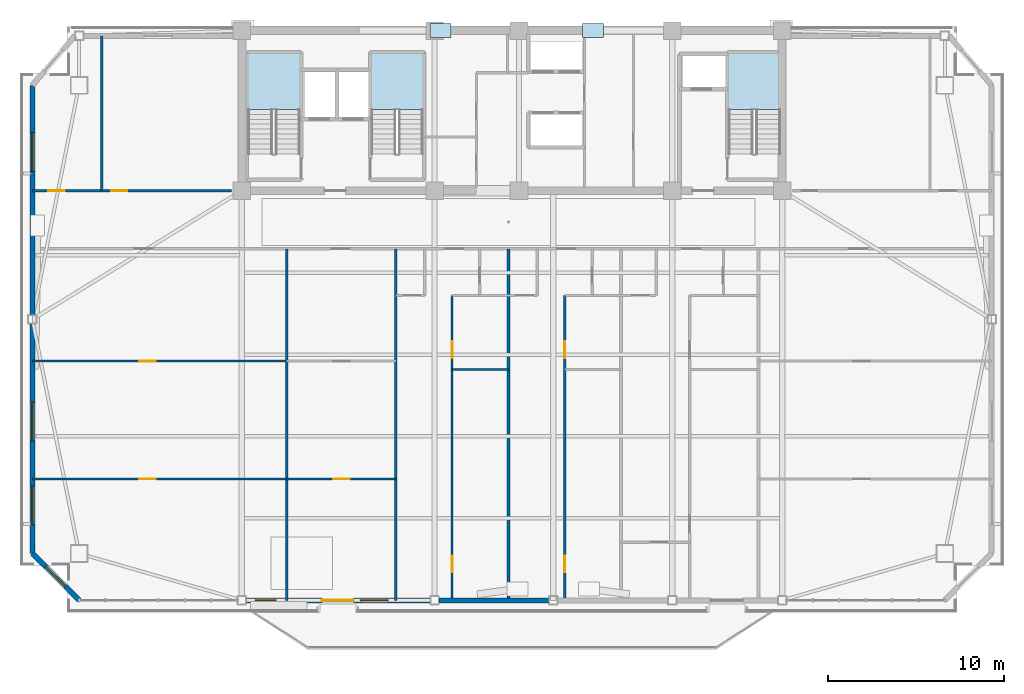
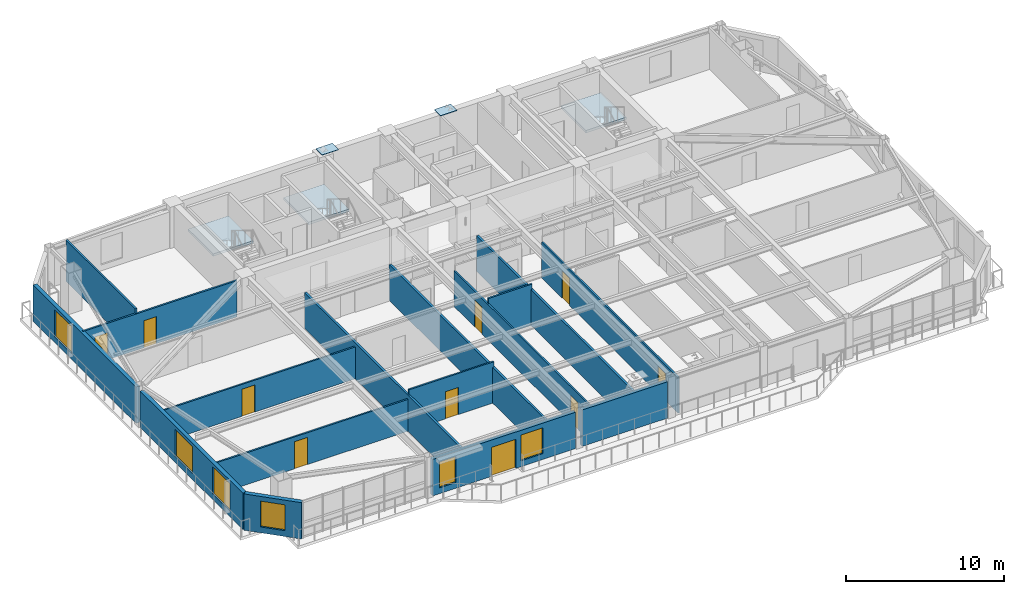
# One storey, part 8 of 19: 16 walls, 10 doors, 6 windows, 3 slabs, 2 plates, 16 openings, 3 elements without a shape of their own.
"""IFC4 building model written with IfcOpenShell, lengths in metres."""

import ifcopenshell
import ifcopenshell.guid

model = None  # the IFC model being written
_history = None  # IfcOwnerHistory: only IFC2X3 demands one
_inside = {}  # id of a spatial element -> (the spatial element, [elements in it])
_under = {}  # id of a project, library or spatial element -> (it, [spatial elements below it])
_declared = {}  # id of a project -> (the project, [libraries it declares])
_typed = {}  # id of a type object -> (the type object, [elements of that type])
_made_of = {}  # id of a material, layer set ... -> (it, [elements and type objects made of it])


def new_model(schema):
    """Start an empty IFC model of exactly this schema.

    Asked for "IFC4X3", IfcOpenShell would pick the latest addendum, in which some entities
    have other attributes; the version numbers below select the first issue.
    IFC2X3 requires an IfcOwnerHistory on every rooted entity: one is made here for all.
    """
    global model, _history
    if schema == "IFC4X3":
        model = ifcopenshell.file(schema_version=(4, 3, 0, 0))
    else:
        model = ifcopenshell.file(schema=schema)
    _inside.clear()
    _under.clear()
    _declared.clear()
    _typed.clear()
    _made_of.clear()
    _history = None
    if model.schema == "IFC2X3":
        org = make("IfcOrganization", Name="unknown")
        user = make(
            "IfcPersonAndOrganization",
            ThePerson=make("IfcPerson", FamilyName="unknown"),
            TheOrganization=org,
        )
        app = make(
            "IfcApplication",
            ApplicationDeveloper=org,
            Version="unknown",
            ApplicationFullName="unknown",
            ApplicationIdentifier="unknown",
        )
        _history = make(
            "IfcOwnerHistory",
            OwningUser=user,
            OwningApplication=app,
            ChangeAction="ADDED",
            CreationDate=0,
        )
    return model


def make(cls, **values):
    """One entity of the class cls with the attributes given. An attribute that is None is left unset."""
    return model.create_entity(
        cls, **{name: value for name, value in values.items() if value is not None}
    )


def rooted(cls, **values):
    """An entity with a GlobalId (a new one), such as an element, a storey or a relation."""
    return make(cls, GlobalId=ifcopenshell.guid.new(), OwnerHistory=_history, **values)


def si_unit(unit_type, name, prefix=None):
    """IfcSIUnit, for example si_unit("LENGTHUNIT", "METRE", prefix="MILLI")."""
    return make("IfcSIUnit", UnitType=unit_type, Prefix=prefix, Name=name)


def assignment(units):
    """IfcUnitAssignment: the units of a project."""
    return None if units is None else make("IfcUnitAssignment", Units=units)


def point(xyz):
    """IfcCartesianPoint."""
    return None if xyz is None else make("IfcCartesianPoint", Coordinates=xyz)


def direction(xyz):
    """IfcDirection."""
    return None if xyz is None else make("IfcDirection", DirectionRatios=xyz)


def frame(location, z_axis=None, x_axis=None):
    """IfcAxis2Placement3D, a coordinate frame: its origin and axes. An axis left out is left unset."""
    return make(
        "IfcAxis2Placement3D",
        Location=point(location),
        Axis=direction(z_axis),
        RefDirection=direction(x_axis),
    )


def frame_2d(location, x_axis=None):
    """IfcAxis2Placement2D, a coordinate frame in the plane: its origin and x axis."""
    return make(
        "IfcAxis2Placement2D", Location=point(location), RefDirection=direction(x_axis)
    )


def origin():
    """The frame at (0, 0, 0) with its axes left unset."""
    return frame((0.0, 0.0, 0.0))


def origin_2d():
    """The frame at (0, 0) in the plane with its x axis left unset."""
    return frame_2d((0.0, 0.0))


def place(relative_to, where):
    """IfcLocalPlacement: puts the frame where relative to a parent placement (None: the world)."""
    return make(
        "IfcLocalPlacement", PlacementRelTo=relative_to, RelativePlacement=where
    )


def context(
    kind, dimensions, precision=None, world=None, true_north=None, identifier=None
):
    """IfcGeometricRepresentationContext, for example the 3D "Model" context."""
    return make(
        "IfcGeometricRepresentationContext",
        ContextIdentifier=identifier,
        ContextType=kind,
        CoordinateSpaceDimension=dimensions,
        Precision=precision,
        WorldCoordinateSystem=world,
        TrueNorth=true_north,
    )


def subcontext(parent, identifier, kind, view, scale=None):
    """IfcGeometricRepresentationSubContext, for example "Body" below "Model"."""
    return make(
        "IfcGeometricRepresentationSubContext",
        ContextIdentifier=identifier,
        ContextType=kind,
        ParentContext=parent,
        TargetScale=scale,
        TargetView=view,
    )


def project(units=None, contexts=None):
    """IfcProject with its units and contexts."""
    return rooted(
        "IfcProject",
        Name="project",
        RepresentationContexts=contexts,
        UnitsInContext=assignment(units),
    )


def spatial(cls, under=None, at=None, **own):
    """A site, building, storey or space (cls), placed at a placement, below another one or the project."""
    s = rooted(cls, ObjectPlacement=at, **own)
    if under is not None:
        _under.setdefault(under.id(), (under, []))[1].append(s)
    return s


def polyline(points):
    """IfcPolyline through the points."""
    return make("IfcPolyline", Points=[point(p) for p in points])


def profile(cls, at=None, kind="AREA", **sizes):
    """A parametric profile (cls). Its sizes go by their IFC names, for example OverallWidth=200.0."""
    return make(cls, ProfileType=kind, Position=at, **sizes)


def rectangle(**sizes):
    """IfcRectangleProfileDef."""
    return profile("IfcRectangleProfileDef", **sizes)


def outline(outer, holes=None, kind="AREA"):
    """IfcArbitraryClosedProfileDef: a profile drawn as a closed curve; with holes, ...WithVoids."""
    if holes is None:
        return make("IfcArbitraryClosedProfileDef", ProfileType=kind, OuterCurve=outer)
    return make(
        "IfcArbitraryProfileDefWithVoids",
        ProfileType=kind,
        OuterCurve=outer,
        InnerCurves=holes,
    )


def extrude(swept, where, along, depth):
    """IfcExtrudedAreaSolid: the profile swept, set in the frame where, extruded along a direction by depth."""
    return make(
        "IfcExtrudedAreaSolid",
        SweptArea=swept,
        Position=where,
        ExtrudedDirection=direction(along),
        Depth=depth,
    )


def shape(context_of_items, identifier, shape_type, items):
    """IfcShapeRepresentation: the items that make up one representation, for example the "Body"."""
    return make(
        "IfcShapeRepresentation",
        ContextOfItems=context_of_items,
        RepresentationIdentifier=identifier,
        RepresentationType=shape_type,
        Items=items,
    )


def source(mapping_origin, context_of_items, identifier, shape_type, items):
    """IfcRepresentationMap: a shape defined once, which mapped items show again and again."""
    return make(
        "IfcRepresentationMap",
        MappingOrigin=mapping_origin,
        MappedRepresentation=shape(context_of_items, identifier, shape_type, items),
    )


def transform(
    local_origin,
    x_axis=None,
    y_axis=None,
    z_axis=None,
    scale=None,
    scale2=None,
    scale3=None,
    uniform=True,
):
    """IfcCartesianTransformationOperator3D, or its non-uniform kind. x_axis, y_axis, z_axis: its Axis1, 2, 3."""
    if uniform:
        return make(
            "IfcCartesianTransformationOperator3D",
            Axis1=direction(x_axis),
            Axis2=direction(y_axis),
            LocalOrigin=point(local_origin),
            Scale=scale,
            Axis3=direction(z_axis),
        )
    return make(
        "IfcCartesianTransformationOperator3DnonUniform",
        Axis1=direction(x_axis),
        Axis2=direction(y_axis),
        LocalOrigin=point(local_origin),
        Scale=scale,
        Axis3=direction(z_axis),
        Scale2=scale2,
        Scale3=scale3,
    )


def mapped(mapping_source, mapping_target):
    """IfcMappedItem: shows the shape of a source again, moved by a transform."""
    return make(
        "IfcMappedItem", MappingSource=mapping_source, MappingTarget=mapping_target
    )


def material(Name=None, Category=None):
    """IfcMaterial."""
    return make("IfcMaterial", Name=Name, Category=Category)


def layer(
    of_material, thickness, ventilated=None, Name=None, Category=None, Priority=None
):
    """IfcMaterialLayer: one layer of a wall or slab, of a material (None: an air gap)."""
    return make(
        "IfcMaterialLayer",
        Material=of_material,
        LayerThickness=thickness,
        IsVentilated=ventilated,
        Name=Name,
        Category=Category,
        Priority=Priority,
    )


def layer_set(layers, Name=None):
    """IfcMaterialLayerSet."""
    return make("IfcMaterialLayerSet", MaterialLayers=layers, LayerSetName=Name)


def made_of(thing, what):
    """Note that an element or type object is made of a material, layer set ...; save() writes the relation."""
    if what is not None:
        _made_of.setdefault(what.id(), (what, []))[1].append(thing)
    return thing


def type_object(cls, material=None, **own):
    """A type object (cls), such as IfcWallType, which elements share."""
    return made_of(rooted(cls, **own), material)


def element(
    cls,
    number,
    at=None,
    inside=None,
    cuts=None,
    type_object=None,
    material=None,
    context=None,
    identifier="Body",
    shape_type=None,
    held_by="IfcProductDefinitionShape",
    body=None,
    shapes=None,
    **own,
):
    """One element of the class cls, such as IfcWall. Its Tag is "e" and its number.

    at: its placement. inside: the storey or other place that contains it. cuts: it is an
    opening in that element (IfcRelVoidsElement). A single representation is given by context,
    identifier, shape_type and body (its items); several are given by shapes. held_by: the class
    of the entity that holds the representations. save() writes the other relations.
    """
    e = rooted(cls, Tag="e%d" % number, ObjectPlacement=at, **own)
    if body is not None:
        shapes = [shape(context, identifier, shape_type, body)]
    if shapes is not None:
        e.Representation = make(held_by, Representations=shapes)
    if inside is not None:
        _inside.setdefault(inside.id(), (inside, []))[1].append(e)
    if cuts is not None:
        rooted(
            "IfcRelVoidsElement", RelatingBuildingElement=cuts, RelatedOpeningElement=e
        )
    if type_object is not None:
        _typed.setdefault(type_object.id(), (type_object, []))[1].append(e)
    return made_of(e, material)


def fill(opening, filler):
    """IfcRelFillsElement: the door or window that sits in an opening."""
    return rooted(
        "IfcRelFillsElement",
        RelatingOpeningElement=opening,
        RelatedBuildingElement=filler,
    )


def aggregate(whole, parts):
    """IfcRelAggregates: a whole, such as a stair, and the parts it consists of."""
    return rooted("IfcRelAggregates", RelatingObject=whole, RelatedObjects=parts)


def save(model, path):
    """Write the relations noted so far, then the file.

    IfcRelAggregates (storeys below a building ...), IfcRelContainedInSpatialStructure (elements
    in a storey), IfcRelDefinesByType, IfcRelAssociatesMaterial and IfcRelDeclares: one each for
    every whole, place, type object, material and project.
    """
    for whole, parts in _under.values():
        aggregate(whole, parts)
    for where, things in _inside.values():
        rooted(
            "IfcRelContainedInSpatialStructure",
            RelatedElements=things,
            RelatingStructure=where,
        )
    for kind, things in _typed.values():
        rooted("IfcRelDefinesByType", RelatedObjects=things, RelatingType=kind)
    for what, things in _made_of.values():
        rooted("IfcRelAssociatesMaterial", RelatedObjects=things, RelatingMaterial=what)
    for by, libraries in _declared.values():
        rooted("IfcRelDeclares", RelatingContext=by, RelatedDefinitions=libraries)
    model.write(path)


model = new_model("IFC4")

# Units and contexts
model_context = context("Model", 3, precision=1e-05, world=origin(), true_north=direction((0.0, 1.0)))
body_context = subcontext(model_context, "Body", "Model", "MODEL_VIEW")
ifc_project = project(units=[si_unit("LENGTHUNIT", "METRE"), si_unit("AREAUNIT", "SQUARE_METRE"), si_unit("VOLUMEUNIT", "CUBIC_METRE"), si_unit("PLANEANGLEUNIT", "RADIAN"), si_unit("MASSUNIT", "GRAM", prefix="KILO")], contexts=[model_context])

# Site, building, storey
site_placement = place(None, origin())
site = spatial("IfcSite", under=ifc_project, at=site_placement, CompositionType="ELEMENT")
building_placement = place(site_placement, origin())
building = spatial("IfcBuilding", under=site, at=building_placement, Name="Giltprow Tower", CompositionType="ELEMENT")
storey_placement = place(building_placement, frame((0.0, 0.0, 241.699951171875)))
storey = spatial("IfcBuildingStorey", under=building, at=storey_placement, Name="L61", CompositionType="ELEMENT", Elevation=241.699951171875)

# Stair, slab
ifc_material_1 = material(Name="Concrete C40", Category="concrete")
stair_type_1 = type_object("IfcStairType", Name="STR-ST-1", PredefinedType="HALF_TURN_STAIR", material=ifc_material_1)
stair_1_placement = place(storey_placement, origin())
stair_1 = element("IfcStair", 1, at=stair_1_placement, inside=storey, type_object=stair_type_1, Name="L61 Core Exit Stair ST-1", PredefinedType="HALF_TURN_STAIR")
ifc_layer_1 = layer(ifc_material_1, 0.179931640625, Name="Concrete C40")
ifc_layer_set_1 = layer_set([ifc_layer_1], Name="Concrete C40")
slab_type_1 = type_object("IfcSlabType", Name="SLD-ST-1", PredefinedType="LANDING", material=ifc_layer_set_1)
slab_1_placement = place(storey_placement, frame((0.0, 0.0, 1.52001953125)))
slab_1 = element("IfcSlab", 2, at=slab_1_placement, type_object=slab_type_1, Name="ST-1 landing 1", PredefinedType="LANDING", context=body_context, shape_type="SweptSolid", body=[
    extrude(outline(polyline([(23.159912109375, 42.070068359375), (23.159912109375, 45.25), (20.199951171875, 45.25), (20.199951171875, 42.070068359375), (23.159912109375, 42.070068359375)])), origin(), (0.0, 0.0, 1.0), 0.179931640625),
])
aggregate(stair_1, [slab_1])

stair_type_2 = type_object("IfcStairType", Name="STR-ST-2", PredefinedType="HALF_TURN_STAIR", material=ifc_material_1)
stair_2_placement = place(storey_placement, origin())
stair_2 = element("IfcStair", 3, at=stair_2_placement, inside=storey, type_object=stair_type_2, Name="L61 Core Exit Stair ST-2", PredefinedType="HALF_TURN_STAIR")
ifc_layer_2 = layer(ifc_material_1, 0.18798828125, Name="Concrete C40")
ifc_layer_set_2 = layer_set([ifc_layer_2], Name="Concrete C40")
slab_type_2 = type_object("IfcSlabType", Name="SLD-ST-2", PredefinedType="LANDING", material=ifc_layer_set_2)
slab_2_placement = place(storey_placement, frame((0.0, 0.0, 1.511962890625)))
slab_2 = element("IfcSlab", 4, at=slab_2_placement, type_object=slab_type_2, Name="ST-2 landing 1", PredefinedType="LANDING", context=body_context, shape_type="SweptSolid", body=[
    extrude(outline(polyline([(30.159912109375, 42.070068359375), (30.159912109375, 45.25), (27.199951171875, 45.25), (27.199951171875, 42.070068359375), (30.159912109375, 42.070068359375)])), origin(), (0.0, 0.0, 1.0), 0.18798828125),
])
aggregate(stair_2, [slab_2])

stair_type_3 = type_object("IfcStairType", Name="STR-ST-3", PredefinedType="HALF_TURN_STAIR", material=ifc_material_1)
stair_3_placement = place(storey_placement, origin())
stair_3 = element("IfcStair", 5, at=stair_3_placement, inside=storey, type_object=stair_type_3, Name="L61 Core Exit Stair ST-3", PredefinedType="HALF_TURN_STAIR")
ifc_layer_3 = layer(ifc_material_1, 0.196044921875, Name="Concrete C40")
ifc_layer_set_3 = layer_set([ifc_layer_3], Name="Concrete C40")
slab_type_3 = type_object("IfcSlabType", Name="SLD-ST-3", PredefinedType="LANDING", material=ifc_layer_set_3)
slab_3_placement = place(storey_placement, frame((0.0, 0.0, 1.504150390625)))
slab_3 = element("IfcSlab", 6, at=slab_3_placement, type_object=slab_type_3, Name="ST-3 landing 1", PredefinedType="LANDING", context=body_context, shape_type="SweptSolid", body=[
    extrude(outline(polyline([(50.4599609375, 42.070068359375), (50.4599609375, 45.25), (47.5, 45.25), (47.5, 42.070068359375), (50.4599609375, 42.070068359375)])), origin(), (0.0, 0.0, 1.0), 0.19580078125),
])
aggregate(stair_3, [slab_3])

# Plates
ifc_material_2 = material(Name="Structural steel Q420GJC", Category="steel")
plate_type = type_object("IfcPlateType", Name="PLT-CAP-SEAL", PredefinedType="USERDEFINED", material=ifc_material_2)
shared_shape_1 = source(origin(), body_context, "Body", "SweptSolid", [
    extrude(rectangle(XDim=1.199951171875, YDim=0.800048828125, at=origin_2d()), origin(), (0.0, 0.0, 1.0), 0.034912109375),
])
for number, where, z_axis, x_axis, name in (
    (7, (31.14697265625, 46.550048828125, 3.24267578125), (0.0, 0.0, 1.0), (1.0, 0.0, 0.0), "Mega-Brace Node L61-N-LB"),
    (8, (39.81201171875, 46.550048828125, 3.24267578125), (0.0, 0.0, 1.0), (1.0, 0.0, 0.0), "Mega-Brace Node L61-N-RB"),
):
    element("IfcPlate", number, at=place(storey_placement, frame(where, z_axis=z_axis, x_axis=x_axis)), inside=storey, type_object=plate_type, Name=name, ObjectType="SPLICE", PredefinedType="USERDEFINED", context=body_context, shape_type="MappedRepresentation", body=[
        mapped(shared_shape_1, transform((0.0, 0.0, 0.0), x_axis=(1.0, 0.0, 0.0), y_axis=(0.0, 1.0, 0.0), z_axis=(0.0, 0.0, 1.0), scale=1.0)),
    ])

# Wall, opening, window
ifc_material_3 = material(Name="Precast concrete C40", Category="concrete")
ifc_layer_4 = layer(ifc_material_3, 0.300048828125, Name="Precast concrete C40")
ifc_layer_set_4 = layer_set([ifc_layer_4], Name="Precast concrete C40")
wall_type_1 = type_object("IfcWallType", Name="EW-NOTCH-CHAMFER-300", PredefinedType="SOLIDWALL", material=ifc_layer_set_4)
wall_1_placement = place(storey_placement, frame((7.947998046875, 16.843017578125, 0.0), z_axis=(0.0, 0.0, 1.0), x_axis=(0.707074342864, -0.707139218021, 0.0)))
wall_1 = element("IfcWall", 9, at=wall_1_placement, inside=storey, type_object=wall_type_1, Name="L61 Corner Notch Wall SW", PredefinedType="SOLIDWALL", context=body_context, shape_type="SweptSolid", body=[
    extrude(rectangle(XDim=3.76318359375, YDim=0.300048828125, at=frame_2d((1.881591796875, 0.0))), origin(), (0.0, 0.0, 1.0), 2.81494140625),
])
opening_1_placement = place(wall_1_placement, frame((1.08203125, 0.0, 0.449951171875)))
opening_1 = element("IfcOpeningElement", 10, at=opening_1_placement, cuts=wall_1, Name="Opening WN17", PredefinedType="OPENING", context=body_context, shape_type="SweptSolid", body=[
    extrude(rectangle(XDim=1.60009765625, YDim=2.0, at=frame_2d((0.800048828125, 1.0))), frame((0.0, 0.159912109375, 0.0), z_axis=(0.0, -1.0, 0.0), x_axis=(1.0, 0.0, 0.0)), (0.0, 0.0, 1.0), 0.320068359375),
])
ifc_material_4 = material(Name="Insulated glass", Category="glass")
window_type_1 = type_object("IfcWindowType", Name="WN-COR-1600x2000", PartitioningType="SINGLE_PANEL", PredefinedType="WINDOW", material=ifc_material_4)
shared_shape_2 = source(origin(), body_context, "Body", "SweptSolid", [
    extrude(rectangle(XDim=1.60009765625, YDim=2.0, at=frame_2d((0.800048828125, 1.0))), frame((0.0, 0.030029296875, 0.0), z_axis=(0.0, -1.0, 0.0), x_axis=(1.0, 0.0, 0.0)), (0.0, 0.0, 1.0), 0.06005859375),
])
window_1_placement = place(opening_1_placement, origin())
window_1 = element("IfcWindow", 11, at=window_1_placement, inside=storey, type_object=window_type_1, Name="L61 Corner Notch Window SW", OverallHeight=2.0, OverallWidth=1.60009765625, PartitioningType="SINGLE_PANEL", PredefinedType="WINDOW", context=body_context, shape_type="MappedRepresentation", body=[
    mapped(shared_shape_2, transform((0.0, 0.0, 0.0), x_axis=(1.0, 0.0, 0.0), y_axis=(0.0, 1.0, 0.0), z_axis=(0.0, 0.0, 1.0), scale=1.0)),
])
fill(opening_1, window_1)

# Wall, openings, windows, door
ifc_layer_5 = layer(ifc_material_3, 0.280029296875, Name="Precast concrete C40")
ifc_layer_set_5 = layer_set([ifc_layer_5], Name="Precast concrete C40")
wall_type_2 = type_object("IfcWallType", Name="EW-TOW-BRONZE-280", PredefinedType="SOLIDWALL", material=ifc_layer_set_5)
wall_2_placement = place(storey_placement, frame((20.10009765625, 14.181884765625, 0.0), z_axis=(0.0, 0.0, 1.0), x_axis=(1.0, 0.0, 0.0)))
wall_2 = element("IfcWall", 12, at=wall_2_placement, inside=storey, type_object=wall_type_2, Name="L61 South Expressed Frame Wall 2", PredefinedType="SOLIDWALL", context=body_context, shape_type="SweptSolid", body=[
    extrude(rectangle(XDim=10.449951171875, YDim=0.280029296875, at=frame_2d((5.22509765625, 0.0))), origin(), (0.0, 0.0, 1.0), 2.81494140625),
])
opening_2_placement = place(wall_2_placement, frame((4.300048828125, 0.0, 0.0)))
opening_2 = element("IfcOpeningElement", 13, at=opening_2_placement, cuts=wall_2, Name="Opening ED25", PredefinedType="OPENING", context=body_context, shape_type="SweptSolid", body=[
    extrude(rectangle(XDim=1.800048828125, YDim=2.25, at=frame_2d((0.89990234375, 1.125))), frame((0.0, 0.14990234375, 0.0), z_axis=(0.0, -1.0, 0.0), x_axis=(1.0, 0.0, 0.0)), (0.0, 0.0, 1.0), 0.300048828125),
])
opening_3_placement = place(wall_2_placement, frame((0.5048828125, 0.0, 0.449951171875)))
opening_3 = element("IfcOpeningElement", 14, at=opening_3_placement, cuts=wall_2, Name="Opening WN11", PredefinedType="OPENING", context=body_context, shape_type="SweptSolid", body=[
    extrude(rectangle(XDim=1.199951171875, YDim=2.0, at=frame_2d((0.60009765625, 1.0))), frame((0.0, 0.14990234375, 0.0), z_axis=(0.0, -1.0, 0.0), x_axis=(1.0, 0.0, 0.0)), (0.0, 0.0, 1.0), 0.300048828125),
])
opening_4_placement = place(wall_2_placement, frame((6.47998046875, 0.0, 0.449951171875)))
opening_4 = element("IfcOpeningElement", 15, at=opening_4_placement, cuts=wall_2, Name="Opening WN17", PredefinedType="OPENING", context=body_context, shape_type="SweptSolid", body=[
    extrude(rectangle(XDim=1.60009765625, YDim=2.0, at=frame_2d((0.800048828125, 1.0))), frame((0.0, 0.14990234375, 0.0), z_axis=(0.0, -1.0, 0.0), x_axis=(1.0, 0.0, 0.0)), (0.0, 0.0, 1.0), 0.300048828125),
])
window_2_placement = place(opening_4_placement, origin())
window_2 = element("IfcWindow", 16, at=window_2_placement, inside=storey, type_object=window_type_1, Name="L61 South Window 2B", OverallHeight=2.0, OverallWidth=1.60009765625, PartitioningType="SINGLE_PANEL", PredefinedType="WINDOW", context=body_context, shape_type="MappedRepresentation", body=[
    mapped(shared_shape_2, transform((0.0, 0.0, 0.0), x_axis=(1.0, 0.0, 0.0), y_axis=(0.0, 1.0, 0.0), z_axis=(0.0, 0.0, 1.0), scale=1.0)),
])
fill(opening_4, window_2)
ifc_material_5 = material(Name="Anodized bronze and glass", Category="glass")
door_type_1 = type_object("IfcDoorType", Name="DR-BALC-SLIDE-1800", OperationType="SLIDING_TO_LEFT", PredefinedType="DOOR", material=ifc_material_5)
shared_shape_3 = source(origin(), body_context, "Body", "SweptSolid", [
    extrude(rectangle(XDim=1.800048828125, YDim=2.25, at=frame_2d((0.89990234375, 1.125))), frame((0.0, 0.02490234375, 0.0), z_axis=(0.0, -1.0, 0.0), x_axis=(1.0, 0.0, 0.0)), (0.0, 0.0, 1.0), 0.050048828125),
])
door_1_placement = place(opening_2_placement, origin())
door_1 = element("IfcDoor", 17, at=door_1_placement, inside=storey, type_object=door_type_1, Name="L61 Waterfront Balcony Sliding Door 1", OperationType="SLIDING_TO_LEFT", OverallHeight=2.25, OverallWidth=1.800048828125, PredefinedType="DOOR", context=body_context, shape_type="MappedRepresentation", body=[
    mapped(shared_shape_3, transform((0.0, 0.0, 0.0), x_axis=(1.0, 0.0, 0.0), y_axis=(0.0, 1.0, 0.0), z_axis=(0.0, 0.0, 1.0), scale=1.0)),
])
fill(opening_2, door_1)
window_type_2 = type_object("IfcWindowType", Name="WN-LANCET-1200x2000", PartitioningType="SINGLE_PANEL", PredefinedType="WINDOW", material=ifc_material_4)
shared_shape_4 = source(origin(), body_context, "Body", "SweptSolid", [
    extrude(rectangle(XDim=1.199951171875, YDim=2.0, at=frame_2d((0.60009765625, 1.0))), frame((0.0, 0.030029296875, 0.0), z_axis=(0.0, -1.0, 0.0), x_axis=(1.0, 0.0, 0.0)), (0.0, 0.0, 1.0), 0.06005859375),
])
window_3_placement = place(opening_3_placement, origin())
window_3 = element("IfcWindow", 18, at=window_3_placement, inside=storey, type_object=window_type_2, Name="L61 South Window 2A", OverallHeight=2.0, OverallWidth=1.199951171875, PartitioningType="SINGLE_PANEL", PredefinedType="WINDOW", context=body_context, shape_type="MappedRepresentation", body=[
    mapped(shared_shape_4, transform((0.0, 0.0, 0.0), x_axis=(1.0, 0.0, 0.0), y_axis=(0.0, 1.0, 0.0), z_axis=(0.0, 0.0, 1.0), scale=1.0)),
])
fill(opening_3, window_3)

# Wall
wall_3_placement = place(storey_placement, frame((31.050048828125, 14.181884765625, 0.0), z_axis=(0.0, 0.0, 1.0), x_axis=(1.0, 0.0, 0.0)))
element("IfcWall", 19, at=wall_3_placement, inside=storey, type_object=wall_type_2, Name="L61 South Expressed Frame Wall 3", PredefinedType="SOLIDWALL", context=body_context, shape_type="SweptSolid", body=[
    extrude(rectangle(XDim=6.25, YDim=0.280029296875, at=frame_2d((3.125, 0.0))), origin(), (0.0, 0.0, 1.0), 2.81494140625),
])

# Wall, openings, windows
wall_4_placement = place(storey_placement, frame((7.947998046875, 16.843017578125, 0.0), z_axis=(0.0, 0.0, 1.0), x_axis=(0.0, 1.0, 0.0)))
wall_4 = element("IfcWall", 20, at=wall_4_placement, inside=storey, type_object=wall_type_2, Name="L61 W Wing Masonry Wall 1", PredefinedType="SOLIDWALL", context=body_context, shape_type="SweptSolid", body=[
    extrude(rectangle(XDim=13.048095703125, YDim=0.280029296875, at=frame_2d((6.52392578125, 0.0))), origin(), (0.0, 0.0, 1.0), 2.81494140625),
])
opening_5_placement = place(wall_4_placement, frame((1.633056640625, 0.0, 0.449951171875)))
opening_5 = element("IfcOpeningElement", 21, at=opening_5_placement, cuts=wall_4, Name="Opening WN27", PredefinedType="OPENING", context=body_context, shape_type="SweptSolid", body=[
    extrude(rectangle(XDim=2.199951171875, YDim=2.10009765625, at=frame_2d((1.10009765625, 1.050048828125))), frame((0.0, 0.14990234375, 0.0), z_axis=(0.0, -1.0, 0.0), x_axis=(1.0, 0.0, 0.0)), (0.0, 0.0, 1.0), 0.300048828125),
])
opening_6_placement = place(wall_4_placement, frame((6.39990234375, 0.0, 0.449951171875)))
opening_6 = element("IfcOpeningElement", 22, at=opening_6_placement, cuts=wall_4, Name="Opening WN27", PredefinedType="OPENING", context=body_context, shape_type="SweptSolid", body=[
    extrude(rectangle(XDim=2.199951171875, YDim=2.10009765625, at=frame_2d((1.10009765625, 1.050048828125))), frame((0.0, 0.14990234375, 0.0), z_axis=(0.0, -1.0, 0.0), x_axis=(1.0, 0.0, 0.0)), (0.0, 0.0, 1.0), 0.300048828125),
])
window_type_3 = type_object("IfcWindowType", Name="WN-RES-2200x2100", PartitioningType="TRIPLE_PANEL_VERTICAL", PredefinedType="WINDOW", material=ifc_material_4)
shared_shape_5 = source(origin(), body_context, "Body", "SweptSolid", [
    extrude(rectangle(XDim=2.199951171875, YDim=2.10009765625, at=frame_2d((1.10009765625, 1.050048828125))), frame((0.0, 0.030029296875, 0.0), z_axis=(0.0, -1.0, 0.0), x_axis=(1.0, 0.0, 0.0)), (0.0, 0.0, 1.0), 0.06005859375),
])
window_4_placement = place(opening_5_placement, origin())
window_4 = element("IfcWindow", 23, at=window_4_placement, inside=storey, type_object=window_type_3, Name="L61 W Wing Window 1-1A", OverallHeight=2.10009765625, OverallWidth=2.199951171875, PartitioningType="SINGLE_PANEL", PredefinedType="WINDOW", context=body_context, shape_type="MappedRepresentation", body=[
    mapped(shared_shape_5, transform((0.0, 0.0, 0.0), x_axis=(1.0, 0.0, 0.0), y_axis=(0.0, 1.0, 0.0), z_axis=(0.0, 0.0, 1.0), scale=1.0)),
])
fill(opening_5, window_4)
window_5_placement = place(opening_6_placement, origin())
window_5 = element("IfcWindow", 24, at=window_5_placement, inside=storey, type_object=window_type_3, Name="L61 W Wing Window 1-1B", OverallHeight=2.10009765625, OverallWidth=2.199951171875, PartitioningType="SINGLE_PANEL", PredefinedType="WINDOW", context=body_context, shape_type="MappedRepresentation", body=[
    mapped(shared_shape_5, transform((0.0, 0.0, 0.0), x_axis=(1.0, 0.0, 0.0), y_axis=(0.0, 1.0, 0.0), z_axis=(0.0, 0.0, 1.0), scale=1.0)),
])
fill(opening_6, window_5)

# Wall, opening, window
wall_5_placement = place(storey_placement, frame((7.947998046875, 30.39111328125, 0.0), z_axis=(0.0, 0.0, 1.0), x_axis=(0.0, 1.0, 0.0)))
wall_5 = element("IfcWall", 25, at=wall_5_placement, inside=storey, type_object=wall_type_2, Name="L61 W Wing Masonry Wall 2", PredefinedType="SOLIDWALL", context=body_context, shape_type="SweptSolid", body=[
    extrude(rectangle(XDim=13.0478515625, YDim=0.280029296875, at=frame_2d((6.52392578125, 0.0))), origin(), (0.0, 0.0, 1.0), 2.81494140625),
])
opening_7_placement = place(wall_5_placement, frame((8.1630859375, 0.0, 0.449951171875)))
opening_7 = element("IfcOpeningElement", 26, at=opening_7_placement, cuts=wall_5, Name="Opening WN27", PredefinedType="OPENING", context=body_context, shape_type="SweptSolid", body=[
    extrude(rectangle(XDim=2.199951171875, YDim=2.10009765625, at=frame_2d((1.10009765625, 1.050048828125))), frame((0.0, 0.14990234375, 0.0), z_axis=(0.0, -1.0, 0.0), x_axis=(1.0, 0.0, 0.0)), (0.0, 0.0, 1.0), 0.300048828125),
])
window_6_placement = place(opening_7_placement, origin())
window_6 = element("IfcWindow", 27, at=window_6_placement, inside=storey, type_object=window_type_3, Name="L61 W Wing Window 2-1", OverallHeight=2.10009765625, OverallWidth=2.199951171875, PartitioningType="SINGLE_PANEL", PredefinedType="WINDOW", context=body_context, shape_type="MappedRepresentation", body=[
    mapped(shared_shape_5, transform((0.0, 0.0, 0.0), x_axis=(1.0, 0.0, 0.0), y_axis=(0.0, 1.0, 0.0), z_axis=(0.0, 0.0, 1.0), scale=1.0)),
])
fill(opening_7, window_6)

# Walls
ifc_material_6 = material(Name="Gypsum stud partition", Category="gypsum")
ifc_layer_6 = layer(ifc_material_6, 0.159912109375, Name="Gypsum stud partition")
ifc_layer_set_6 = layer_set([ifc_layer_6], Name="Gypsum stud partition")
wall_type_3 = type_object("IfcWallType", Name="IW-DEMISE-160", PredefinedType="PARTITIONING", material=ifc_layer_set_6)
for number, where, z_axis, x_axis, name in (
    (28, (22.39990234375, 14.181884765625, 0.0), (0.0, 0.0, 1.0), (0.0, 1.0, 0.0), "L61 Apartment Party Wall 1"),
    (29, (28.60009765625, 14.181884765625, 0.0), (0.0, 0.0, 1.0), (0.0, 1.0, 0.0), "L61 Apartment Party Wall 2"),
    (30, (35.0, 14.181884765625, 0.0), (0.0, 0.0, 1.0), (0.0, 1.0, 0.0), "L61 Apartment Party Wall 3"),
):
    element("IfcWall", number, at=place(storey_placement, frame(where, z_axis=z_axis, x_axis=x_axis)), inside=storey, type_object=wall_type_3, Name=name, PredefinedType="PARTITIONING", context=body_context, shape_type="SweptSolid", body=[
        extrude(rectangle(XDim=19.968017578125, YDim=0.159912109375, at=frame_2d((9.98388671875, 0.0))), origin(), (0.0, 0.0, 1.0), 2.77001953125),
    ])

# Wall, opening, door
ifc_layer_7 = layer(ifc_material_6, 0.1201171875, Name="Gypsum stud partition")
ifc_layer_set_7 = layer_set([ifc_layer_7], Name="Gypsum stud partition")
wall_type_4 = type_object("IfcWallType", Name="IW-ROOM-120", PredefinedType="PARTITIONING", material=ifc_layer_set_7)
wall_6_placement = place(storey_placement, frame((7.947998046875, 21.075927734375, 0.0), z_axis=(0.0, 0.0, 1.0), x_axis=(1.0, 0.0, 0.0)))
wall_6 = element("IfcWall", 31, at=wall_6_placement, inside=storey, type_object=wall_type_4, Name="L61 Special Split 1", PredefinedType="PARTITIONING", context=body_context, shape_type="SweptSolid", body=[
    extrude(rectangle(XDim=14.451904296875, YDim=0.1201171875, at=frame_2d((7.22607421875, 0.0))), origin(), (0.0, 0.0, 1.0), 2.469970703125),
])
opening_8_placement = place(wall_6_placement, frame((6.06689453125, 0.0, 0.0)))
opening_8 = element("IfcOpeningElement", 32, at=opening_8_placement, cuts=wall_6, Name="Opening ID11", PredefinedType="OPENING", context=body_context, shape_type="SweptSolid", body=[
    extrude(rectangle(XDim=0.949951171875, YDim=2.10009765625, at=frame_2d((0.47509765625, 1.050048828125))), frame((0.0, 0.070068359375, 0.0), z_axis=(0.0, -1.0, 0.0), x_axis=(1.0, 0.0, 0.0)), (0.0, 0.0, 1.0), 0.14013671875),
])
ifc_material_7 = material(Name="Engineered timber", Category="wood")
door_type_2 = type_object("IfcDoorType", Name="DR-ROOM-950", OperationType="SINGLE_SWING_RIGHT", PredefinedType="DOOR", material=ifc_material_7)
shared_shape_6 = source(origin(), body_context, "Body", "SweptSolid", [
    extrude(rectangle(XDim=0.949951171875, YDim=2.10009765625, at=frame_2d((0.47509765625, 1.050048828125))), frame((0.0, 0.02490234375, 0.0), z_axis=(0.0, -1.0, 0.0), x_axis=(1.0, 0.0, 0.0)), (0.0, 0.0, 1.0), 0.050048828125),
])
door_2_placement = place(opening_8_placement, origin())
door_2 = element("IfcDoor", 33, at=door_2_placement, inside=storey, type_object=door_type_2, Name="L61 Residents Home Office 1 South Door", OperationType="SINGLE_SWING_RIGHT", OverallHeight=2.10009765625, OverallWidth=0.949951171875, PredefinedType="DOOR", context=body_context, shape_type="MappedRepresentation", body=[
    mapped(shared_shape_6, transform((0.0, 0.0, 0.0), x_axis=(1.0, 0.0, 0.0), y_axis=(0.0, 1.0, 0.0), z_axis=(0.0, 0.0, 1.0), scale=1.0)),
])
fill(opening_8, door_2)

wall_7_placement = place(storey_placement, frame((7.947998046875, 27.77001953125, 0.0), z_axis=(0.0, 0.0, 1.0), x_axis=(1.0, 0.0, 0.0)))
wall_7 = element("IfcWall", 34, at=wall_7_placement, inside=storey, type_object=wall_type_4, Name="L61 Special Split 2", PredefinedType="PARTITIONING", context=body_context, shape_type="SweptSolid", body=[
    extrude(rectangle(XDim=14.451904296875, YDim=0.1201171875, at=frame_2d((7.22607421875, 0.0))), origin(), (0.0, 0.0, 1.0), 2.469970703125),
])
opening_9_placement = place(wall_7_placement, frame((6.06689453125, 0.0, 0.0)))
opening_9 = element("IfcOpeningElement", 35, at=opening_9_placement, cuts=wall_7, Name="Opening ID11", PredefinedType="OPENING", context=body_context, shape_type="SweptSolid", body=[
    extrude(rectangle(XDim=0.949951171875, YDim=2.10009765625, at=frame_2d((0.47509765625, 1.050048828125))), frame((0.0, 0.070068359375, 0.0), z_axis=(0.0, -1.0, 0.0), x_axis=(1.0, 0.0, 0.0)), (0.0, 0.0, 1.0), 0.14013671875),
])
door_3_placement = place(opening_9_placement, origin())
door_3 = element("IfcDoor", 36, at=door_3_placement, inside=storey, type_object=door_type_2, Name="L61 Residents Home Office 1 Mid Door", OperationType="SINGLE_SWING_LEFT", OverallHeight=2.10009765625, OverallWidth=0.949951171875, PredefinedType="DOOR", context=body_context, shape_type="MappedRepresentation", body=[
    mapped(shared_shape_6, transform((0.0, 0.0, 0.0), x_axis=(1.0, 0.0, 0.0), y_axis=(0.0, 1.0, 0.0), z_axis=(0.0, 0.0, 1.0), scale=1.0)),
])
fill(opening_9, door_3)

wall_8_placement = place(storey_placement, frame((22.39990234375, 21.075927734375, 0.0), z_axis=(0.0, 0.0, 1.0), x_axis=(1.0, 0.0, 0.0)))
wall_8 = element("IfcWall", 37, at=wall_8_placement, inside=storey, type_object=wall_type_4, Name="L61 Special Split 1", PredefinedType="PARTITIONING", context=body_context, shape_type="SweptSolid", body=[
    extrude(rectangle(XDim=6.2001953125, YDim=0.1201171875, at=frame_2d((3.10009765625, 0.0))), origin(), (0.0, 0.0, 1.0), 3.18505859375),
])
opening_10_placement = place(wall_8_placement, frame((2.64599609375, 0.0, 0.0)))
opening_10 = element("IfcOpeningElement", 38, at=opening_10_placement, cuts=wall_8, Name="Opening ID11", PredefinedType="OPENING", context=body_context, shape_type="SweptSolid", body=[
    extrude(rectangle(XDim=0.949951171875, YDim=2.10009765625, at=frame_2d((0.47509765625, 1.050048828125))), frame((0.0, 0.070068359375, 0.0), z_axis=(0.0, -1.0, 0.0), x_axis=(1.0, 0.0, 0.0)), (0.0, 0.0, 1.0), 0.14013671875),
])
door_4_placement = place(opening_10_placement, origin())
door_4 = element("IfcDoor", 39, at=door_4_placement, inside=storey, type_object=door_type_2, Name="L61 Legal Study Office 2 South Door", OperationType="SINGLE_SWING_LEFT", OverallHeight=2.10009765625, OverallWidth=0.949951171875, PredefinedType="DOOR", context=body_context, shape_type="MappedRepresentation", body=[
    mapped(shared_shape_6, transform((0.0, 0.0, 0.0), x_axis=(1.0, 0.0, 0.0), y_axis=(0.0, 1.0, 0.0), z_axis=(0.0, 0.0, 1.0), scale=1.0)),
])
fill(opening_10, door_4)

# Wall, openings, doors
wall_9_placement = place(storey_placement, frame((31.800048828125, 14.181884765625, 0.0), z_axis=(0.0, 0.0, 1.0), x_axis=(0.0, 1.0, 0.0)))
wall_9 = element("IfcWall", 40, at=wall_9_placement, inside=storey, type_object=wall_type_4, Name="L61 Unit 1 Bedroom Wall", PredefinedType="PARTITIONING", context=body_context, shape_type="SweptSolid", body=[
    extrude(rectangle(XDim=17.318115234375, YDim=0.1201171875, at=frame_2d((8.6591796875, 0.0))), origin(), (0.0, 0.0, 1.0), 2.77001953125),
])
opening_11_placement = place(wall_9_placement, frame((1.590087890625, 0.0, 0.0)))
opening_11 = element("IfcOpeningElement", 41, at=opening_11_placement, cuts=wall_9, Name="Opening ID11", PredefinedType="OPENING", context=body_context, shape_type="SweptSolid", body=[
    extrude(rectangle(XDim=0.949951171875, YDim=2.10009765625, at=frame_2d((0.47509765625, 1.050048828125))), frame((0.0, 0.070068359375, 0.0), z_axis=(0.0, -1.0, 0.0), x_axis=(1.0, 0.0, 0.0)), (0.0, 0.0, 1.0), 0.14013671875),
])
opening_12_placement = place(wall_9_placement, frame((13.758056640625, 0.0, 0.0)))
opening_12 = element("IfcOpeningElement", 42, at=opening_12_placement, cuts=wall_9, Name="Opening ID11", PredefinedType="OPENING", context=body_context, shape_type="SweptSolid", body=[
    extrude(rectangle(XDim=0.949951171875, YDim=2.10009765625, at=frame_2d((0.47509765625, 1.050048828125))), frame((0.0, 0.070068359375, 0.0), z_axis=(0.0, -1.0, 0.0), x_axis=(1.0, 0.0, 0.0)), (0.0, 0.0, 1.0), 0.14013671875),
])
door_5_placement = place(opening_11_placement, origin())
door_5 = element("IfcDoor", 43, at=door_5_placement, inside=storey, type_object=door_type_2, Name="L61 Unit 1 Primary Bedroom Door", OperationType="SINGLE_SWING_LEFT", OverallHeight=2.10009765625, OverallWidth=0.949951171875, PredefinedType="DOOR", context=body_context, shape_type="MappedRepresentation", body=[
    mapped(shared_shape_6, transform((0.0, 0.0, 0.0), x_axis=(1.0, 0.0, 0.0), y_axis=(0.0, 1.0, 0.0), z_axis=(0.0, 0.0, 1.0), scale=1.0)),
])
fill(opening_11, door_5)
door_6_placement = place(opening_12_placement, origin())
door_6 = element("IfcDoor", 44, at=door_6_placement, inside=storey, type_object=door_type_2, Name="L61 Unit 1 Second Bedroom Door", OperationType="SINGLE_SWING_RIGHT", OverallHeight=2.10009765625, OverallWidth=0.949951171875, PredefinedType="DOOR", context=body_context, shape_type="MappedRepresentation", body=[
    mapped(shared_shape_6, transform((0.0, 0.0, 0.0), x_axis=(1.0, 0.0, 0.0), y_axis=(0.0, 1.0, 0.0), z_axis=(0.0, 0.0, 1.0), scale=1.0)),
])
fill(opening_12, door_6)

# Wall
wall_10_placement = place(storey_placement, frame((31.800048828125, 27.300048828125, 0.0), z_axis=(0.0, 0.0, 1.0), x_axis=(1.0, 0.0, 0.0)))
element("IfcWall", 45, at=wall_10_placement, inside=storey, type_object=wall_type_4, Name="L61 Unit 1 Second Bedroom Wall", PredefinedType="PARTITIONING", context=body_context, shape_type="SweptSolid", body=[
    extrude(rectangle(XDim=3.199951171875, YDim=0.1201171875, at=frame_2d((1.60009765625, 0.0))), origin(), (0.0, 0.0, 1.0), 3.18505859375),
])

# Wall, openings, doors
wall_11_placement = place(storey_placement, frame((38.199951171875, 14.181884765625, 0.0), z_axis=(0.0, 0.0, 1.0), x_axis=(0.0, 1.0, 0.0)))
wall_11 = element("IfcWall", 46, at=wall_11_placement, inside=storey, type_object=wall_type_4, Name="L61 Unit 2 Bedroom Wall", PredefinedType="PARTITIONING", context=body_context, shape_type="SweptSolid", body=[
    extrude(rectangle(XDim=17.318115234375, YDim=0.1201171875, at=frame_2d((8.6591796875, 0.0))), origin(), (0.0, 0.0, 1.0), 2.77001953125),
])
opening_13_placement = place(wall_11_placement, frame((1.590087890625, 0.0, 0.0)))
opening_13 = element("IfcOpeningElement", 47, at=opening_13_placement, cuts=wall_11, Name="Opening ID11", PredefinedType="OPENING", context=body_context, shape_type="SweptSolid", body=[
    extrude(rectangle(XDim=0.949951171875, YDim=2.10009765625, at=frame_2d((0.47509765625, 1.050048828125))), frame((0.0, 0.070068359375, 0.0), z_axis=(0.0, -1.0, 0.0), x_axis=(1.0, 0.0, 0.0)), (0.0, 0.0, 1.0), 0.14013671875),
])
opening_14_placement = place(wall_11_placement, frame((13.758056640625, 0.0, 0.0)))
opening_14 = element("IfcOpeningElement", 48, at=opening_14_placement, cuts=wall_11, Name="Opening ID11", PredefinedType="OPENING", context=body_context, shape_type="SweptSolid", body=[
    extrude(rectangle(XDim=0.949951171875, YDim=2.10009765625, at=frame_2d((0.47509765625, 1.050048828125))), frame((0.0, 0.070068359375, 0.0), z_axis=(0.0, -1.0, 0.0), x_axis=(1.0, 0.0, 0.0)), (0.0, 0.0, 1.0), 0.14013671875),
])
door_7_placement = place(opening_13_placement, origin())
door_7 = element("IfcDoor", 49, at=door_7_placement, inside=storey, type_object=door_type_2, Name="L61 Unit 2 Primary Bedroom Door", OperationType="SINGLE_SWING_RIGHT", OverallHeight=2.10009765625, OverallWidth=0.949951171875, PredefinedType="DOOR", context=body_context, shape_type="MappedRepresentation", body=[
    mapped(shared_shape_6, transform((0.0, 0.0, 0.0), x_axis=(1.0, 0.0, 0.0), y_axis=(0.0, 1.0, 0.0), z_axis=(0.0, 0.0, 1.0), scale=1.0)),
])
fill(opening_13, door_7)
door_8_placement = place(opening_14_placement, origin())
door_8 = element("IfcDoor", 50, at=door_8_placement, inside=storey, type_object=door_type_2, Name="L61 Unit 2 Second Bedroom Door", OperationType="SINGLE_SWING_LEFT", OverallHeight=2.10009765625, OverallWidth=0.949951171875, PredefinedType="DOOR", context=body_context, shape_type="MappedRepresentation", body=[
    mapped(shared_shape_6, transform((0.0, 0.0, 0.0), x_axis=(1.0, 0.0, 0.0), y_axis=(0.0, 1.0, 0.0), z_axis=(0.0, 0.0, 1.0), scale=1.0)),
])
fill(opening_14, door_8)

ifc_material_8 = material(Name="Concrete C30", Category="concrete")
ifc_layer_8 = layer(ifc_material_8, 0.1298828125, Name="Concrete C30")
ifc_layer_set_8 = layer_set([ifc_layer_8], Name="Concrete C30")
wall_type_5 = type_object("IfcWallType", Name="IW-WET-130", PredefinedType="PARTITIONING", material=ifc_layer_set_8)
wall_12_placement = place(storey_placement, frame((7.947998046875, 37.449951171875, 0.0), z_axis=(0.0, 0.0, 1.0), x_axis=(1.0, 0.0, 0.0)))
wall_12 = element("IfcWall", 51, at=wall_12_placement, inside=storey, type_object=wall_type_5, Name="L61 NW Wing South Wall", PredefinedType="PARTITIONING", context=body_context, shape_type="SweptSolid", body=[
    extrude(rectangle(XDim=11.302001953125, YDim=0.1298828125, at=frame_2d((5.65087890625, 0.0))), origin(), (0.0, 0.0, 1.0), 2.820068359375),
])
opening_15_placement = place(wall_12_placement, frame((0.89990234375, 0.0, 0.0)))
opening_15 = element("IfcOpeningElement", 52, at=opening_15_placement, cuts=wall_12, Name="Opening ID11", PredefinedType="OPENING", context=body_context, shape_type="SweptSolid", body=[
    extrude(rectangle(XDim=0.949951171875, YDim=2.10009765625, at=frame_2d((0.47509765625, 1.050048828125))), frame((0.0, 0.074951171875, 0.0), z_axis=(0.0, -1.0, 0.0), x_axis=(1.0, 0.0, 0.0)), (0.0, 0.0, 1.0), 0.14990234375),
])
opening_16_placement = place(wall_12_placement, frame((4.490966796875, 0.0, 0.0)))
opening_16 = element("IfcOpeningElement", 53, at=opening_16_placement, cuts=wall_12, Name="Opening ID15", PredefinedType="OPENING", context=body_context, shape_type="SweptSolid", body=[
    extrude(rectangle(XDim=0.89990234375, YDim=2.10009765625, at=frame_2d((0.449951171875, 1.050048828125))), frame((0.0, 0.074951171875, 0.0), z_axis=(0.0, -1.0, 0.0), x_axis=(1.0, 0.0, 0.0)), (0.0, 0.0, 1.0), 0.14990234375),
])
door_type_3 = type_object("IfcDoorType", Name="DR-WC-900", OperationType="SINGLE_SWING_LEFT", PredefinedType="DOOR", material=ifc_material_7)
shared_shape_7 = source(origin(), body_context, "Body", "SweptSolid", [
    extrude(rectangle(XDim=0.89990234375, YDim=2.10009765625, at=frame_2d((0.449951171875, 1.050048828125))), frame((0.0, 0.02490234375, 0.0), z_axis=(0.0, -1.0, 0.0), x_axis=(1.0, 0.0, 0.0)), (0.0, 0.0, 1.0), 0.050048828125),
])
door_9_placement = place(opening_16_placement, origin())
door_9 = element("IfcDoor", 54, at=door_9_placement, inside=storey, type_object=door_type_3, Name="L61 NW Washroom Door", OperationType="SINGLE_SWING_RIGHT", OverallHeight=2.10009765625, OverallWidth=0.89990234375, PredefinedType="DOOR", context=body_context, shape_type="MappedRepresentation", body=[
    mapped(shared_shape_7, transform((0.0, 0.0, 0.0), x_axis=(1.0, 0.0, 0.0), y_axis=(0.0, 1.0, 0.0), z_axis=(0.0, 0.0, 1.0), scale=1.0)),
])
fill(opening_16, door_9)
door_10_placement = place(opening_15_placement, origin())
door_10 = element("IfcDoor", 55, at=door_10_placement, inside=storey, type_object=door_type_2, Name="L61 Residents Study Office West Door", OperationType="SINGLE_SWING_LEFT", OverallHeight=2.10009765625, OverallWidth=0.949951171875, PredefinedType="DOOR", context=body_context, shape_type="MappedRepresentation", body=[
    mapped(shared_shape_6, transform((0.0, 0.0, 0.0), x_axis=(1.0, 0.0, 0.0), y_axis=(0.0, 1.0, 0.0), z_axis=(0.0, 0.0, 1.0), scale=1.0)),
])
fill(opening_15, door_10)

# Wall
wall_13_placement = place(storey_placement, frame((11.888916015625, 37.449951171875, 0.0), z_axis=(0.0, 0.0, 1.0), x_axis=(0.0, 1.0, 0.0)))
element("IfcWall", 56, at=wall_13_placement, inside=storey, type_object=wall_type_5, Name="L61 NW Wing Divider", PredefinedType="PARTITIONING", context=body_context, shape_type="SweptSolid", body=[
    extrude(rectangle(XDim=8.800048828125, YDim=0.1298828125, at=frame_2d((4.39990234375, 0.0))), origin(), (0.0, 0.0, 1.0), 3.18505859375),
])

save(model, "model.ifc")
